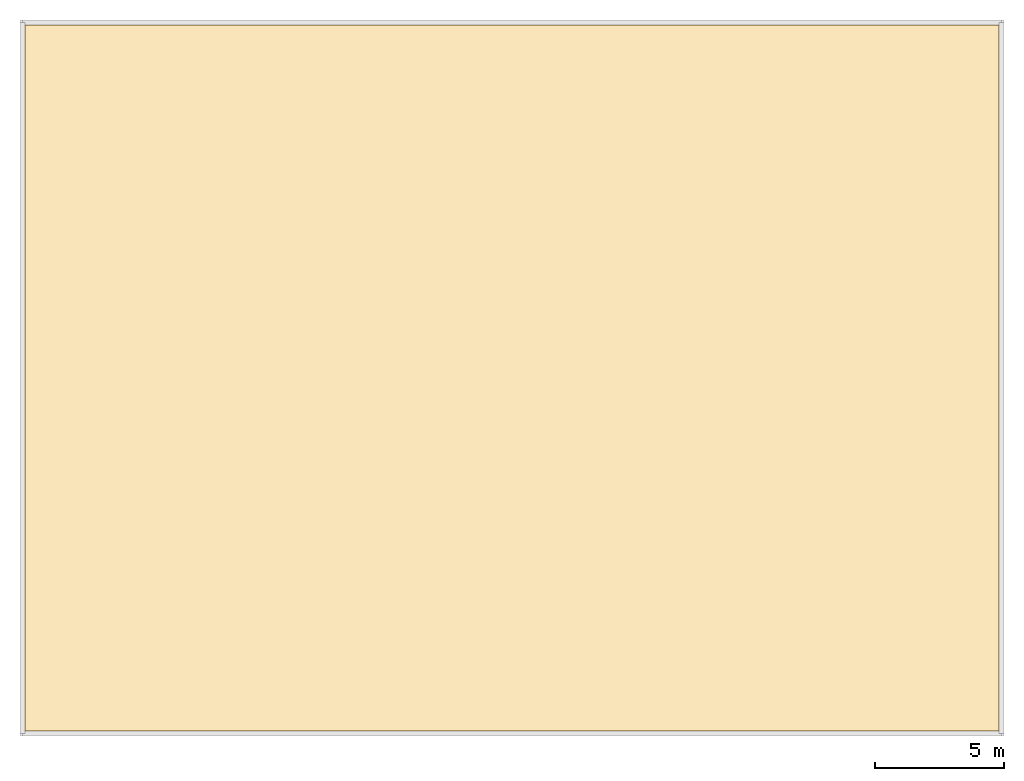
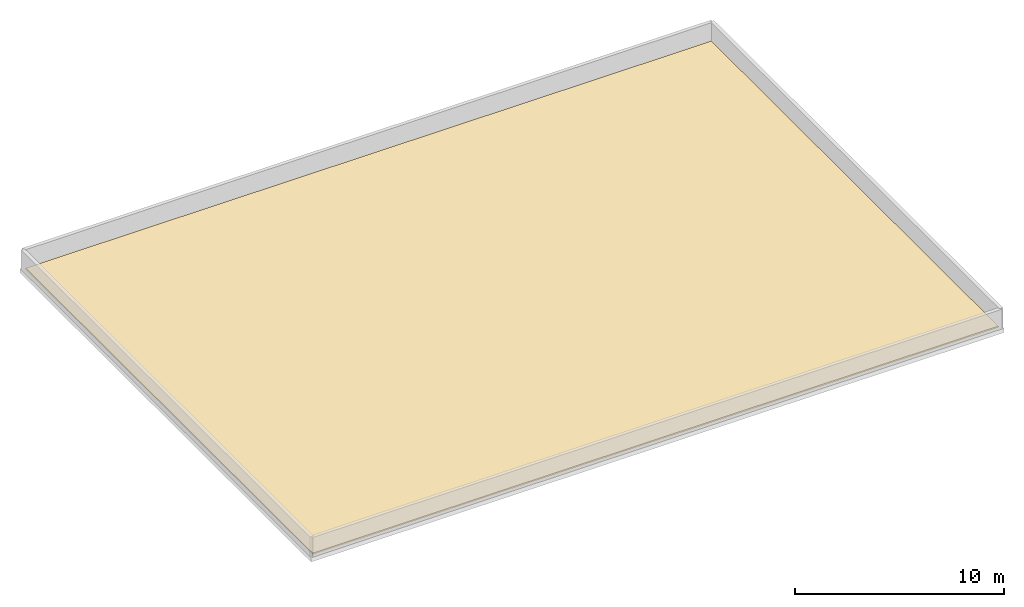
# One storey, part 2 of 2: 1 covering.
"""IFC4 building model written with IfcOpenShell, lengths in metres."""

from ifc_helpers import new_model, si_unit, direction, frame, origin, place, context, subcontext, project, spatial, polyline, outline, extrude, material, layer, layer_set, type_object, element, save


model = new_model("IFC4")

# Units and contexts
model_context = context("Model", 3, precision=1e-05, world=origin(), true_north=direction((0.0, 1.0)))
body_context = subcontext(model_context, "Body", "Model", "MODEL_VIEW")
ifc_project = project(units=[si_unit("LENGTHUNIT", "METRE"), si_unit("AREAUNIT", "SQUARE_METRE"), si_unit("VOLUMEUNIT", "CUBIC_METRE"), si_unit("PLANEANGLEUNIT", "RADIAN"), si_unit("MASSUNIT", "GRAM", prefix="KILO")], contexts=[model_context])

# Site, building, storey
site_placement = place(None, origin())
site = spatial("IfcSite", under=ifc_project, at=site_placement, CompositionType="ELEMENT")
building_placement = place(site_placement, origin())
building = spatial("IfcBuilding", under=site, at=building_placement, Name="Varnel Quay Broadcast Tower", CompositionType="ELEMENT")
storey_placement = place(building_placement, frame((0.0, 0.0, 332.800048828125)))
storey = spatial("IfcBuildingStorey", under=building, at=storey_placement, Name="Roof Cap", CompositionType="ELEMENT", Elevation=332.800048828125)

# Covering
ifc_material = material(Name="Insulated SBS Modified Bitumen Roof Membrane")
ifc_layer = layer(ifc_material, 0.080078125, Name="Insulated SBS Modified Bitumen Roof Membrane")
ifc_layer_set = layer_set([ifc_layer], Name="Insulated SBS Modified Bitumen Roof Membrane")
covering_type = type_object("IfcCoveringType", Name="Cov_RoofMembrane", PredefinedType="ROOFING", material=ifc_layer_set)
covering_placement = place(storey_placement, origin())
element("IfcCovering", 1, at=covering_placement, inside=storey, type_object=covering_type, Name="Crown Cap Insulated Roof Membrane", PredefinedType="ROOFING", context=body_context, shape_type="SweptSolid", body=[
    extrude(outline(polyline([(15.10009765625, 16.300048828125), (52.89990234375, 16.300048828125), (52.89990234375, 43.699951171875), (15.10009765625, 43.699951171875), (15.10009765625, 16.300048828125)])), origin(), (0.0, 0.0, 1.0), 0.079833984375),
])

save(model, "model.ifc")
